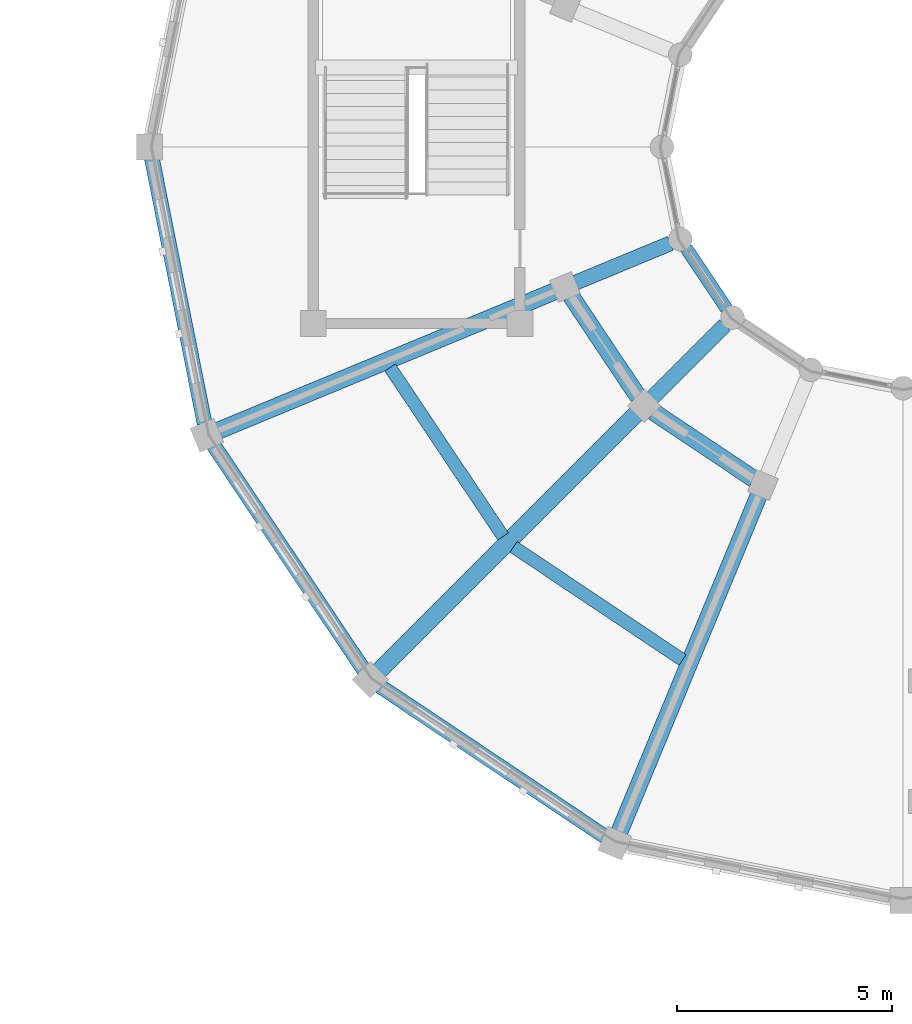
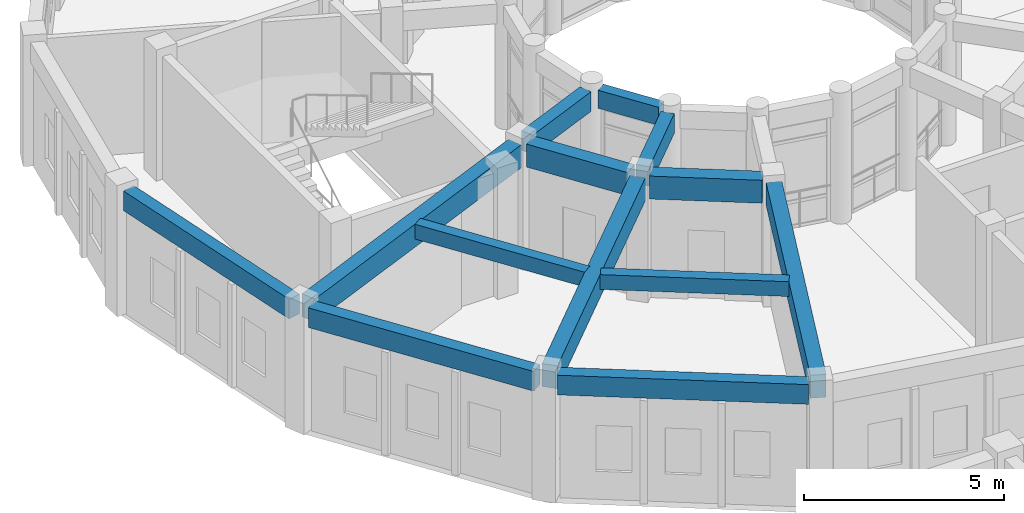
# One storey, part 52 of 159: 13 beams.
"""IFC4 building model written with IfcOpenShell, lengths in metres."""

import ifcopenshell
import ifcopenshell.guid

model = None  # the IFC model being written
_history = None  # IfcOwnerHistory: only IFC2X3 demands one
_inside = {}  # id of a spatial element -> (the spatial element, [elements in it])
_under = {}  # id of a project, library or spatial element -> (it, [spatial elements below it])
_declared = {}  # id of a project -> (the project, [libraries it declares])
_typed = {}  # id of a type object -> (the type object, [elements of that type])
_made_of = {}  # id of a material, layer set ... -> (it, [elements and type objects made of it])


def new_model(schema):
    """Start an empty IFC model of exactly this schema.

    Asked for "IFC4X3", IfcOpenShell would pick the latest addendum, in which some entities
    have other attributes; the version numbers below select the first issue.
    IFC2X3 requires an IfcOwnerHistory on every rooted entity: one is made here for all.
    """
    global model, _history
    if schema == "IFC4X3":
        model = ifcopenshell.file(schema_version=(4, 3, 0, 0))
    else:
        model = ifcopenshell.file(schema=schema)
    _inside.clear()
    _under.clear()
    _declared.clear()
    _typed.clear()
    _made_of.clear()
    _history = None
    if model.schema == "IFC2X3":
        org = make("IfcOrganization", Name="unknown")
        user = make(
            "IfcPersonAndOrganization",
            ThePerson=make("IfcPerson", FamilyName="unknown"),
            TheOrganization=org,
        )
        app = make(
            "IfcApplication",
            ApplicationDeveloper=org,
            Version="unknown",
            ApplicationFullName="unknown",
            ApplicationIdentifier="unknown",
        )
        _history = make(
            "IfcOwnerHistory",
            OwningUser=user,
            OwningApplication=app,
            ChangeAction="ADDED",
            CreationDate=0,
        )
    return model


def make(cls, **values):
    """One entity of the class cls with the attributes given. An attribute that is None is left unset."""
    return model.create_entity(
        cls, **{name: value for name, value in values.items() if value is not None}
    )


def rooted(cls, **values):
    """An entity with a GlobalId (a new one), such as an element, a storey or a relation."""
    return make(cls, GlobalId=ifcopenshell.guid.new(), OwnerHistory=_history, **values)


def si_unit(unit_type, name, prefix=None):
    """IfcSIUnit, for example si_unit("LENGTHUNIT", "METRE", prefix="MILLI")."""
    return make("IfcSIUnit", UnitType=unit_type, Prefix=prefix, Name=name)


def assignment(units):
    """IfcUnitAssignment: the units of a project."""
    return None if units is None else make("IfcUnitAssignment", Units=units)


def point(xyz):
    """IfcCartesianPoint."""
    return None if xyz is None else make("IfcCartesianPoint", Coordinates=xyz)


def direction(xyz):
    """IfcDirection."""
    return None if xyz is None else make("IfcDirection", DirectionRatios=xyz)


def frame(location, z_axis=None, x_axis=None):
    """IfcAxis2Placement3D, a coordinate frame: its origin and axes. An axis left out is left unset."""
    return make(
        "IfcAxis2Placement3D",
        Location=point(location),
        Axis=direction(z_axis),
        RefDirection=direction(x_axis),
    )


def frame_2d(location, x_axis=None):
    """IfcAxis2Placement2D, a coordinate frame in the plane: its origin and x axis."""
    return make(
        "IfcAxis2Placement2D", Location=point(location), RefDirection=direction(x_axis)
    )


def origin():
    """The frame at (0, 0, 0) with its axes left unset."""
    return frame((0.0, 0.0, 0.0))


def origin_2d():
    """The frame at (0, 0) in the plane with its x axis left unset."""
    return frame_2d((0.0, 0.0))


def place(relative_to, where):
    """IfcLocalPlacement: puts the frame where relative to a parent placement (None: the world)."""
    return make(
        "IfcLocalPlacement", PlacementRelTo=relative_to, RelativePlacement=where
    )


def context(
    kind, dimensions, precision=None, world=None, true_north=None, identifier=None
):
    """IfcGeometricRepresentationContext, for example the 3D "Model" context."""
    return make(
        "IfcGeometricRepresentationContext",
        ContextIdentifier=identifier,
        ContextType=kind,
        CoordinateSpaceDimension=dimensions,
        Precision=precision,
        WorldCoordinateSystem=world,
        TrueNorth=true_north,
    )


def subcontext(parent, identifier, kind, view, scale=None):
    """IfcGeometricRepresentationSubContext, for example "Body" below "Model"."""
    return make(
        "IfcGeometricRepresentationSubContext",
        ContextIdentifier=identifier,
        ContextType=kind,
        ParentContext=parent,
        TargetScale=scale,
        TargetView=view,
    )


def project(units=None, contexts=None):
    """IfcProject with its units and contexts."""
    return rooted(
        "IfcProject",
        Name="project",
        RepresentationContexts=contexts,
        UnitsInContext=assignment(units),
    )


def spatial(cls, under=None, at=None, **own):
    """A site, building, storey or space (cls), placed at a placement, below another one or the project."""
    s = rooted(cls, ObjectPlacement=at, **own)
    if under is not None:
        _under.setdefault(under.id(), (under, []))[1].append(s)
    return s


def profile(cls, at=None, kind="AREA", **sizes):
    """A parametric profile (cls). Its sizes go by their IFC names, for example OverallWidth=200.0."""
    return make(cls, ProfileType=kind, Position=at, **sizes)


def rectangle(**sizes):
    """IfcRectangleProfileDef."""
    return profile("IfcRectangleProfileDef", **sizes)


def extrude(swept, where, along, depth):
    """IfcExtrudedAreaSolid: the profile swept, set in the frame where, extruded along a direction by depth."""
    return make(
        "IfcExtrudedAreaSolid",
        SweptArea=swept,
        Position=where,
        ExtrudedDirection=direction(along),
        Depth=depth,
    )


def shape(context_of_items, identifier, shape_type, items):
    """IfcShapeRepresentation: the items that make up one representation, for example the "Body"."""
    return make(
        "IfcShapeRepresentation",
        ContextOfItems=context_of_items,
        RepresentationIdentifier=identifier,
        RepresentationType=shape_type,
        Items=items,
    )


def material(Name=None, Category=None):
    """IfcMaterial."""
    return make("IfcMaterial", Name=Name, Category=Category)


def material_profile(
    of_material, cross_section, Name=None, Category=None, Priority=None
):
    """IfcMaterialProfile: a cross section and its material."""
    return make(
        "IfcMaterialProfile",
        Name=Name,
        Material=of_material,
        Profile=cross_section,
        Priority=Priority,
        Category=Category,
    )


def profile_set(profiles, Name=None, composite=None):
    """IfcMaterialProfileSet."""
    return make(
        "IfcMaterialProfileSet",
        Name=Name,
        MaterialProfiles=profiles,
        CompositeProfile=composite,
    )


def made_of(thing, what):
    """Note that an element or type object is made of a material, layer set ...; save() writes the relation."""
    if what is not None:
        _made_of.setdefault(what.id(), (what, []))[1].append(thing)
    return thing


def type_object(cls, material=None, **own):
    """A type object (cls), such as IfcWallType, which elements share."""
    return made_of(rooted(cls, **own), material)


def element(
    cls,
    number,
    at=None,
    inside=None,
    cuts=None,
    type_object=None,
    material=None,
    context=None,
    identifier="Body",
    shape_type=None,
    held_by="IfcProductDefinitionShape",
    body=None,
    shapes=None,
    **own,
):
    """One element of the class cls, such as IfcWall. Its Tag is "e" and its number.

    at: its placement. inside: the storey or other place that contains it. cuts: it is an
    opening in that element (IfcRelVoidsElement). A single representation is given by context,
    identifier, shape_type and body (its items); several are given by shapes. held_by: the class
    of the entity that holds the representations. save() writes the other relations.
    """
    e = rooted(cls, Tag="e%d" % number, ObjectPlacement=at, **own)
    if body is not None:
        shapes = [shape(context, identifier, shape_type, body)]
    if shapes is not None:
        e.Representation = make(held_by, Representations=shapes)
    if inside is not None:
        _inside.setdefault(inside.id(), (inside, []))[1].append(e)
    if cuts is not None:
        rooted(
            "IfcRelVoidsElement", RelatingBuildingElement=cuts, RelatedOpeningElement=e
        )
    if type_object is not None:
        _typed.setdefault(type_object.id(), (type_object, []))[1].append(e)
    return made_of(e, material)


def aggregate(whole, parts):
    """IfcRelAggregates: a whole, such as a stair, and the parts it consists of."""
    return rooted("IfcRelAggregates", RelatingObject=whole, RelatedObjects=parts)


def save(model, path):
    """Write the relations noted so far, then the file.

    IfcRelAggregates (storeys below a building ...), IfcRelContainedInSpatialStructure (elements
    in a storey), IfcRelDefinesByType, IfcRelAssociatesMaterial and IfcRelDeclares: one each for
    every whole, place, type object, material and project.
    """
    for whole, parts in _under.values():
        aggregate(whole, parts)
    for where, things in _inside.values():
        rooted(
            "IfcRelContainedInSpatialStructure",
            RelatedElements=things,
            RelatingStructure=where,
        )
    for kind, things in _typed.values():
        rooted("IfcRelDefinesByType", RelatedObjects=things, RelatingType=kind)
    for what, things in _made_of.values():
        rooted("IfcRelAssociatesMaterial", RelatedObjects=things, RelatingMaterial=what)
    for by, libraries in _declared.values():
        rooted("IfcRelDeclares", RelatingContext=by, RelatedDefinitions=libraries)
    model.write(path)


model = new_model("IFC4")

# Units and contexts
model_context = context("Model", 3, precision=1e-05, world=origin(), true_north=direction((0.0, 1.0)))
body_context = subcontext(model_context, "Body", "Model", "MODEL_VIEW")
ifc_project = project(units=[si_unit("LENGTHUNIT", "METRE"), si_unit("AREAUNIT", "SQUARE_METRE"), si_unit("VOLUMEUNIT", "CUBIC_METRE"), si_unit("PLANEANGLEUNIT", "RADIAN"), si_unit("MASSUNIT", "GRAM", prefix="KILO")], contexts=[model_context])

# Site, building, storey
site_placement = place(None, origin())
site = spatial("IfcSite", under=ifc_project, at=site_placement, CompositionType="ELEMENT")
building_placement = place(site_placement, origin())
building = spatial("IfcBuilding", under=site, at=building_placement, Name="Celadon Cloister-Ring School", CompositionType="ELEMENT")
storey_placement = place(building_placement, frame((0.0, 0.0, 4.5)))
storey = spatial("IfcBuildingStorey", under=building, at=storey_placement, Name="L01", CompositionType="ELEMENT", Elevation=4.5)

# Beams
ifc_material_1 = material(Name="Concrete C35/45", Category="concrete")
ifc_material_profile_1 = material_profile(ifc_material_1, rectangle(XDim=0.35009765625, YDim=0.60009765625, at=origin_2d()), Name="RC350X600")
ifc_profile_set_1 = profile_set([ifc_material_profile_1], Name="Concrete C35/45")
beam_type_1 = type_object("IfcBeamType", Name="BT-02", PredefinedType="BEAM", material=ifc_profile_set_1)
beam_1_placement = place(storey_placement, frame((12.577880859375, 93.843017578125, 3.47998046875), z_axis=(0.923932522988, 0.382555476978, 0.0), x_axis=(-0.382555476978, 0.923932522988, 0.0)))
element("IfcBeam", 1, at=beam_1_placement, inside=storey, type_object=beam_type_1, Name="Beam 0673", PredefinedType="BEAM", context=body_context, shape_type="SweptSolid", body=[
    extrude(rectangle(XDim=0.35009765625, YDim=0.60009765625, at=origin_2d()), origin(), (0.0, 0.0, 1.0), 2.399658203125),
])
beam_2_placement = place(storey_placement, frame((14.366943359375, 91.1669921875, 3.47998046875), z_axis=(0.707106781187, 0.707106781187, 0.0), x_axis=(-0.707106781187, 0.707106781187, 0.0)))
element("IfcBeam", 2, at=beam_2_placement, inside=storey, type_object=beam_type_1, Name="Beam 0675", PredefinedType="BEAM", context=body_context, shape_type="SweptSolid", body=[
    extrude(rectangle(XDim=0.35009765625, YDim=0.60009765625, at=origin_2d()), origin(), (0.0, 0.0, 1.0), 2.398681640625),
])
ifc_material_2 = material(Name="Concrete C35/45", Category="concrete")
ifc_material_profile_2 = material_profile(ifc_material_2, rectangle(XDim=0.39990234375, YDim=0.699951171875, at=origin_2d()), Name="RC400X700")
ifc_profile_set_2 = profile_set([ifc_material_profile_2], Name="Concrete C35/45")
beam_type_2 = type_object("IfcBeamType", Name="GT-03", PredefinedType="USERDEFINED", material=ifc_profile_set_2)
beam_3_placement = place(storey_placement, frame((4.285888671875, 90.407958984375, 3.429931640625), z_axis=(0.923896411609, 0.382642680076, 0.0), x_axis=(-0.382642680076, 0.923896411609, 0.0)))
element("IfcBeam", 3, at=beam_3_placement, inside=storey, type_object=beam_type_2, Name="Beam 0672", ObjectType="GIRDER", PredefinedType="USERDEFINED", context=body_context, shape_type="SweptSolid", body=[
    extrude(rectangle(XDim=0.39990234375, YDim=0.699951171875, at=origin_2d()), origin(), (0.0, 0.0, 1.0), 8.47509765625),
])
beam_4_placement = place(storey_placement, frame((8.02001953125, 84.820068359375, 3.429931640625), z_axis=(0.707106781187, 0.707106781187, 0.0), x_axis=(-0.707106781187, 0.707106781187, 0.0)))
element("IfcBeam", 4, at=beam_4_placement, inside=storey, type_object=beam_type_2, Name="Beam 0674", ObjectType="GIRDER", PredefinedType="USERDEFINED", context=body_context, shape_type="SweptSolid", body=[
    extrude(rectangle(XDim=0.39990234375, YDim=0.699951171875, at=origin_2d()), origin(), (0.0, 0.0, 1.0), 8.475341796875),
])
beam_5_placement = place(storey_placement, frame((13.60791015625, 81.0859375, 3.429931640625), z_axis=(0.382667268836, 0.923886227499, 0.0), x_axis=(-0.923886227499, 0.382667268836, 0.0)))
element("IfcBeam", 5, at=beam_5_placement, inside=storey, type_object=beam_type_2, Name="Beam 0676", ObjectType="GIRDER", PredefinedType="USERDEFINED", context=body_context, shape_type="SweptSolid", body=[
    extrude(rectangle(XDim=0.39990234375, YDim=0.699951171875, at=origin_2d()), origin(), (0.0, 0.0, 1.0), 8.47509765625),
])
beam_6_placement = place(storey_placement, frame((12.486083984375, 93.5390625, 3.429931640625), z_axis=(0.555740149771, -0.831356052442, 0.0), x_axis=(0.831356052442, 0.555740149771, 0.0)))
element("IfcBeam", 6, at=beam_6_placement, inside=storey, type_object=beam_type_2, Name="Beam 0713", ObjectType="GIRDER", PredefinedType="USERDEFINED", context=body_context, shape_type="SweptSolid", body=[
    extrude(rectangle(XDim=0.39990234375, YDim=0.699951171875, at=origin_2d()), origin(), (0.0, 0.0, 1.0), 2.81591796875),
])
beam_7_placement = place(storey_placement, frame((14.39794921875, 90.85107421875, 3.429931640625), z_axis=(0.831315995752, -0.555800067657, 0.0), x_axis=(0.555800067657, 0.831315995752, 0.0)))
element("IfcBeam", 7, at=beam_7_placement, inside=storey, type_object=beam_type_2, Name="Beam 0717", ObjectType="GIRDER", PredefinedType="USERDEFINED", context=body_context, shape_type="SweptSolid", body=[
    extrude(rectangle(XDim=0.39990234375, YDim=0.699951171875, at=origin_2d()), origin(), (0.0, 0.0, 1.0), 2.816162109375),
])
ifc_material_3 = material(Name="Concrete C35/45", Category="concrete")
ifc_material_profile_3 = material_profile(ifc_material_3, rectangle(XDim=0.300048828125, YDim=0.449951171875, at=origin_2d()), Name="RC300X450")
ifc_profile_set_3 = profile_set([ifc_material_profile_3], Name="Concrete C35/45")
beam_type_3 = type_object("IfcBeamType", Name="JT-01", PredefinedType="JOIST", material=ifc_profile_set_3)
beam_8_placement = place(storey_placement, frame((8.287109375, 91.87890625, 3.554931640625), z_axis=(0.555761854047, -0.831341543282, 0.0), x_axis=(0.831341543282, 0.555761854047, 0.0)))
element("IfcBeam", 8, at=beam_8_placement, inside=storey, type_object=beam_type_3, Name="Beam 0715", PredefinedType="JOIST", context=body_context, shape_type="SweptSolid", body=[
    extrude(rectangle(XDim=0.300048828125, YDim=0.449951171875, at=origin_2d()), origin(), (0.0, 0.0, 1.0), 4.720947265625),
])
beam_9_placement = place(storey_placement, frame((11.154052734375, 87.7109375, 3.554931640625), z_axis=(0.831333623542, -0.55577370068, 0.0), x_axis=(0.55577370068, 0.831333623542, 0.0)))
element("IfcBeam", 9, at=beam_9_placement, inside=storey, type_object=beam_type_3, Name="Beam 0719", PredefinedType="JOIST", context=body_context, shape_type="SweptSolid", body=[
    extrude(rectangle(XDim=0.300048828125, YDim=0.449951171875, at=origin_2d()), origin(), (0.0, 0.0, 1.0), 4.721435546875),
])
ifc_material_4 = material(Name="Concrete C35/45", Category="concrete")
ifc_material_profile_4 = material_profile(ifc_material_4, rectangle(XDim=0.35009765625, YDim=0.60009765625, at=origin_2d()), Name="RC350X600")
ifc_profile_set_4 = profile_set([ifc_material_profile_4], Name="Concrete C35/45")
beam_type_4 = type_object("IfcBeamType", Name="SP-01", PredefinedType="SPANDREL", material=ifc_profile_set_4)
beam_10_placement = place(storey_placement, frame((2.75390625, 96.72998046875, 3.47998046875), z_axis=(0.195001619501, -0.980802920261, 0.0), x_axis=(0.980802920261, 0.195001619501, 0.0)))
element("IfcBeam", 10, at=beam_10_placement, inside=storey, type_object=beam_type_4, Name="Beam 0710", PredefinedType="SPANDREL", context=body_context, shape_type="SweptSolid", body=[
    extrude(rectangle(XDim=0.35009765625, YDim=0.60009765625, at=origin_2d()), origin(), (0.0, 0.0, 1.0), 6.277587890625),
])
beam_11_placement = place(storey_placement, frame((4.18505859375, 90.073974609375, 3.47998046875), z_axis=(0.555660177561, -0.831409506244, 0.0), x_axis=(0.831409506244, 0.555660177561, 0.0)))
element("IfcBeam", 11, at=beam_11_placement, inside=storey, type_object=beam_type_4, Name="Beam 0712", PredefinedType="SPANDREL", context=body_context, shape_type="SweptSolid", body=[
    extrude(rectangle(XDim=0.35009765625, YDim=0.60009765625, at=origin_2d()), origin(), (0.0, 0.0, 1.0), 6.27734375),
])
beam_12_placement = place(storey_placement, frame((8.054931640625, 84.472900390625, 3.47998046875), z_axis=(0.831427473898, -0.555633292422, 0.0), x_axis=(0.555633292422, 0.831427473898, 0.0)))
element("IfcBeam", 12, at=beam_12_placement, inside=storey, type_object=beam_type_4, Name="Beam 0716", PredefinedType="SPANDREL", context=body_context, shape_type="SweptSolid", body=[
    extrude(rectangle(XDim=0.35009765625, YDim=0.60009765625, at=origin_2d()), origin(), (0.0, 0.0, 1.0), 6.277099609375),
])
ifc_material_5 = material(Name="Concrete C35/45", Category="concrete")
ifc_material_profile_5 = material_profile(ifc_material_5, rectangle(XDim=0.300048828125, YDim=0.550048828125, at=origin_2d()), Name="RC300X550")
ifc_profile_set_5 = profile_set([ifc_material_profile_5], Name="Concrete C35/45")
beam_type_5 = type_object("IfcBeamType", Name="SP-02", PredefinedType="SPANDREL", material=ifc_profile_set_5)
beam_13_placement = place(storey_placement, frame((15.1650390625, 94.64892578125, 3.5048828125), z_axis=(0.555569328961, -0.831470216374, 0.0), x_axis=(0.831470216374, 0.555569328961, 0.0)))
element("IfcBeam", 13, at=beam_13_placement, inside=storey, type_object=beam_type_5, Name="Beam 0714", PredefinedType="SPANDREL", context=body_context, shape_type="SweptSolid", body=[
    extrude(rectangle(XDim=0.300048828125, YDim=0.550048828125, at=origin_2d()), origin(), (0.0, 0.0, 1.0), 1.684814453125),
])

save(model, "model.ifc")
